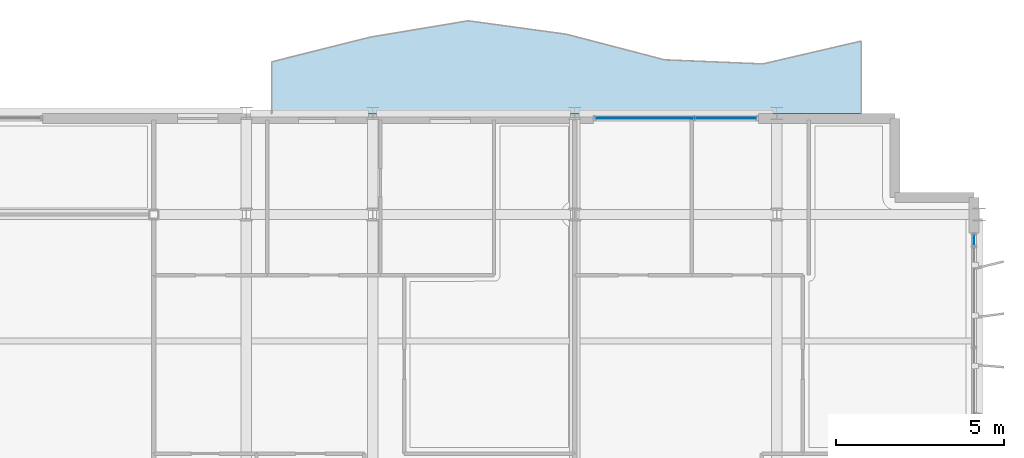
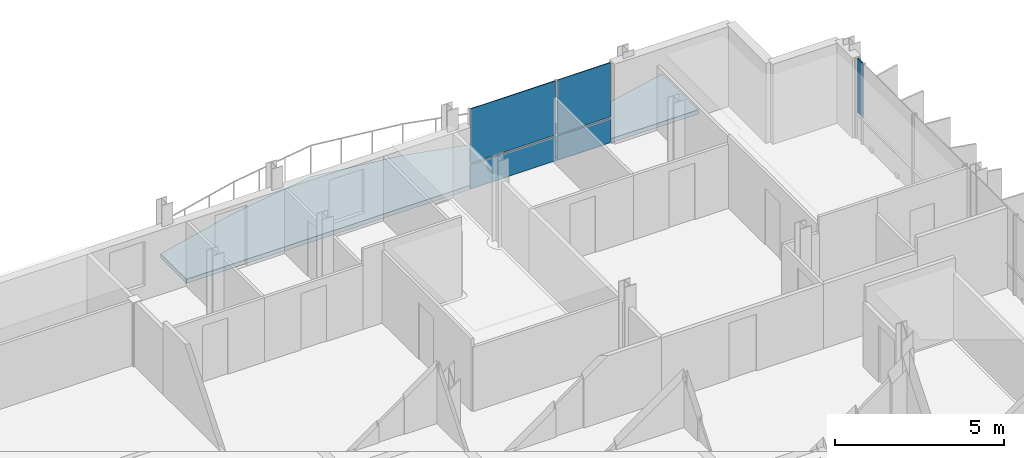
# One storey, part 23 of 35: 5 plates, 1 slab, 2 elements without a shape of their own.
"""IFC4 building model written with IfcOpenShell, lengths in metres."""

from ifc_helpers import new_model, si_unit, direction, frame, origin, origin_2d, place, context, subcontext, project, spatial, polyline, rectangle, outline, extrude, material, layer, layer_set, type_object, element, aggregate, save


model = new_model("IFC4")

# Units and contexts
model_context = context("Model", 3, precision=1e-05, world=origin(), true_north=direction((0.0, 1.0)))
body_context = subcontext(model_context, "Body", "Model", "MODEL_VIEW")
ifc_project = project(units=[si_unit("LENGTHUNIT", "METRE"), si_unit("AREAUNIT", "SQUARE_METRE"), si_unit("VOLUMEUNIT", "CUBIC_METRE"), si_unit("PLANEANGLEUNIT", "RADIAN"), si_unit("MASSUNIT", "GRAM", prefix="KILO")], contexts=[model_context])

# Site, building, storey
site_placement = place(None, origin())
site = spatial("IfcSite", under=ifc_project, at=site_placement, CompositionType="ELEMENT")
building_placement = place(site_placement, origin())
building = spatial("IfcBuilding", under=site, at=building_placement, Name="Brevholm Reach", CompositionType="ELEMENT")
storey_placement = place(building_placement, frame((0.0, 0.0, 218.0)))
storey = spatial("IfcBuildingStorey", under=building, at=storey_placement, Name="L66", CompositionType="ELEMENT", Elevation=218.0)

# Curtain wall, plate
ifc_material_1 = material(Name="Dark Anodised Aluminium 6063-T6 and Solar-Control Glass", Category="aluminium")
ifc_layer_1 = layer(ifc_material_1, 0.14990234375)
ifc_layer_set_1 = layer_set([ifc_layer_1], Name="Dark Anodised Aluminium 6063-T6 and Solar-Control Glass")
curtain_wall_type = type_object("IfcCurtainWallType", Name="CW-01", PredefinedType="NOTDEFINED", material=ifc_layer_set_1)
curtain_wall_1_placement = place(storey_placement, origin())
curtain_wall_1 = element("IfcCurtainWall", 1, at=curtain_wall_1_placement, inside=storey, type_object=curtain_wall_type, Name="L66 Curtain Wall CW-01", PredefinedType="NOTDEFINED")
ifc_material_2 = material(Name="Dark Solar-Control Double-Glazed IGU Glass", Category="glass")
ifc_layer_2 = layer(ifc_material_2, 0.028076171875)
ifc_layer_set_2 = layer_set([ifc_layer_2], Name="Dark Solar-Control Double-Glazed IGU Glass")
plate_type = type_object("IfcPlateType", Name="CWP-GLZ-28", PredefinedType="CURTAIN_PANEL", material=ifc_layer_set_2)
plate_1_placement = place(storey_placement, frame((59.85009765625, 22.733642578125, 0.932373046875), z_axis=(0.0, 0.0, 1.0), x_axis=(0.0, 1.0, 0.0)))
plate_1 = element("IfcPlate", 2, at=plate_1_placement, type_object=plate_type, Name="CP-01 Glazing Panel 5.2", PredefinedType="CURTAIN_PANEL", context=body_context, shape_type="SweptSolid", body=[
    extrude(rectangle(XDim=0.302490234375, YDim=0.028076171875, at=origin_2d()), origin(), (0.0, 0.0, 1.0), 1.95751953125),
])
aggregate(curtain_wall_1, [plate_1])

# Curtain wall, plates
curtain_wall_2_placement = place(storey_placement, origin())
curtain_wall_2 = element("IfcCurtainWall", 3, at=curtain_wall_2_placement, inside=storey, type_object=curtain_wall_type, Name="L66 Curtain Wall CW-01", PredefinedType="NOTDEFINED")
plate_2_placement = place(storey_placement, frame((50.066162109375, 26.35009765625, 0.0), z_axis=(0.0, 0.0, 1.0), x_axis=(1.0, 0.0, 0.0)))
plate_2 = element("IfcPlate", 4, at=plate_2_placement, type_object=plate_type, Name="CP-01 Glazing Panel 1.1", PredefinedType="CURTAIN_PANEL", context=body_context, shape_type="SweptSolid", body=[
    extrude(rectangle(XDim=2.902587890625, YDim=0.028076171875, at=origin_2d()), origin(), (0.0, 0.0, 1.0), 0.867431640625),
])
plate_3_placement = place(storey_placement, frame((50.066162109375, 26.35009765625, 0.932373046875), z_axis=(0.0, 0.0, 1.0), x_axis=(1.0, 0.0, 0.0)))
plate_3 = element("IfcPlate", 5, at=plate_3_placement, type_object=plate_type, Name="CP-01 Glazing Panel 1.2", PredefinedType="CURTAIN_PANEL", context=body_context, shape_type="SweptSolid", body=[
    extrude(rectangle(XDim=2.902587890625, YDim=0.028076171875, at=origin_2d()), origin(), (0.0, 0.0, 1.0), 1.95751953125),
])
plate_4_placement = place(storey_placement, frame((52.483642578125, 26.35009765625, 0.0), z_axis=(0.0, 0.0, 1.0), x_axis=(1.0, 0.0, 0.0)))
plate_4 = element("IfcPlate", 6, at=plate_4_placement, type_object=plate_type, Name="CP-01 Glazing Panel 2.1", PredefinedType="CURTAIN_PANEL", context=body_context, shape_type="SweptSolid", body=[
    extrude(rectangle(XDim=1.802490234375, YDim=0.028076171875, at=origin_2d()), origin(), (0.0, 0.0, 1.0), 0.867431640625),
])
plate_5_placement = place(storey_placement, frame((52.483642578125, 26.35009765625, 0.932373046875), z_axis=(0.0, 0.0, 1.0), x_axis=(1.0, 0.0, 0.0)))
plate_5 = element("IfcPlate", 7, at=plate_5_placement, type_object=plate_type, Name="CP-01 Glazing Panel 2.2", PredefinedType="CURTAIN_PANEL", context=body_context, shape_type="SweptSolid", body=[
    extrude(rectangle(XDim=1.802490234375, YDim=0.028076171875, at=origin_2d()), origin(), (0.0, 0.0, 1.0), 1.95751953125),
])
aggregate(curtain_wall_2, [plate_2, plate_3, plate_4, plate_5])

# Slab
ifc_material_3 = material(Name="Precast Concrete C45/55", Category="concrete")
ifc_layer_3 = layer(ifc_material_3, 0.14990234375)
ifc_layer_set_3 = layer_set([ifc_layer_3], Name="Precast Concrete C45/55")
slab_type = type_object("IfcSlabType", Name="SLB-BAL-150", PredefinedType="FLOOR", material=ifc_layer_set_3)
slab_placement = place(storey_placement, frame((0.0, 0.0, -0.14990234375)))
element("IfcSlab", 8, at=slab_placement, inside=storey, type_object=slab_type, Name="L66 Rippling External Balcony NE", PredefinedType="FLOOR", context=body_context, shape_type="SweptSolid", body=[
    extrude(outline(polyline([(39.0, 26.5), (56.5, 26.5), (56.5, 28.6455078125), (53.583251953125, 27.96826171875), (50.666748046875, 28.08935546875), (47.75, 28.849609375), (44.833251953125, 29.248291015625), (41.916748046875, 28.760986328125), (39.0, 28.02880859375), (39.0, 26.5)])), origin(), (0.0, 0.0, 1.0), 0.14990234375),
])

save(model, "model.ifc")
